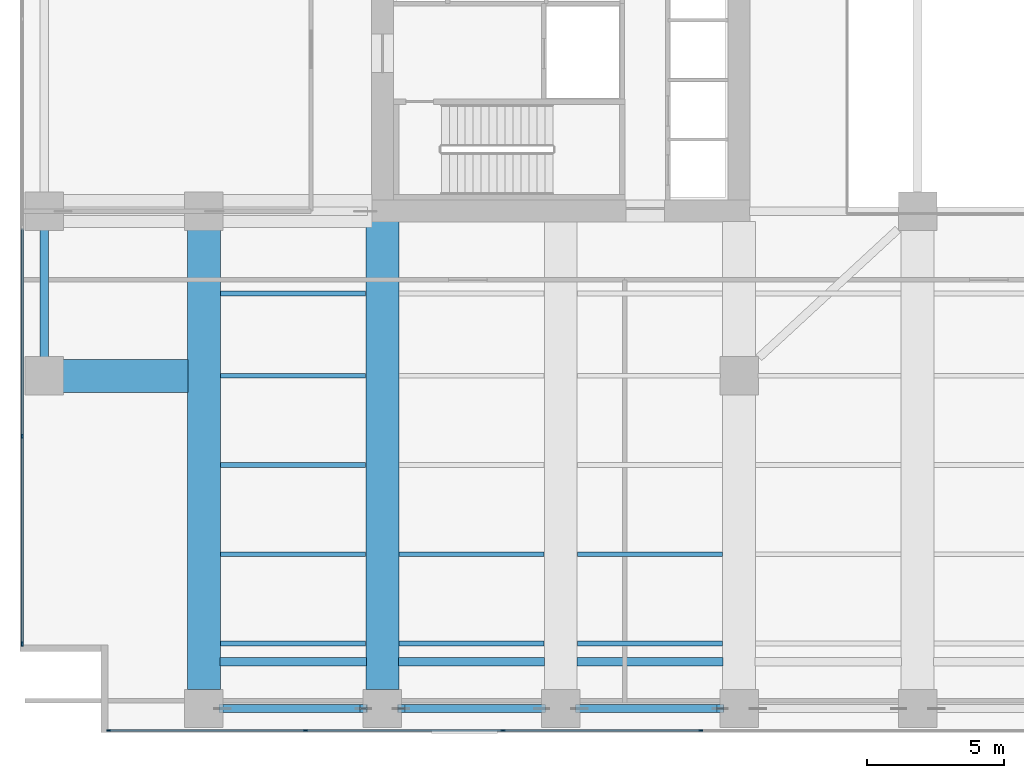
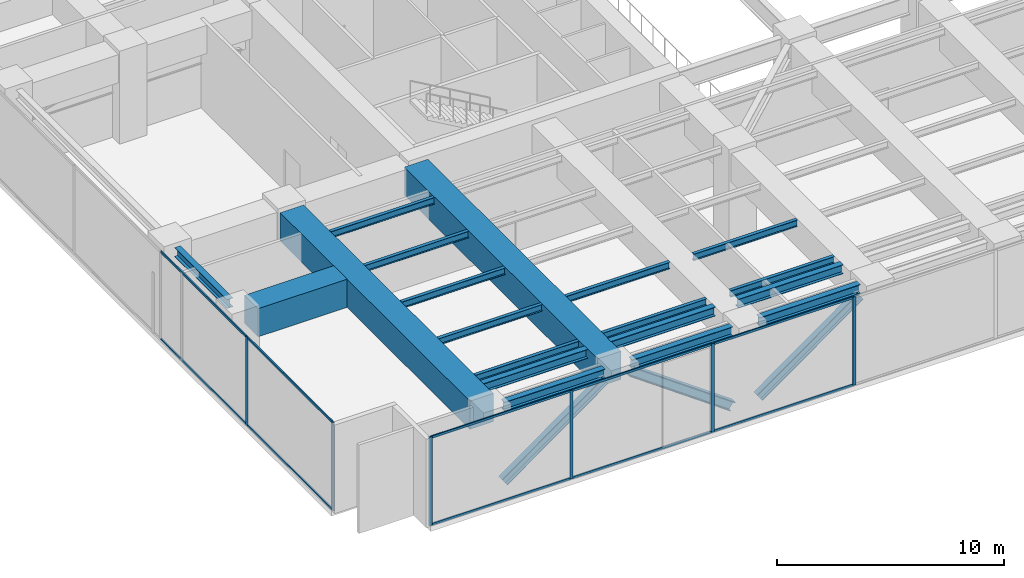
# One storey, part 2 of 31: 19 beams, 19 members, 2 elements without a shape of their own.
"""IFC4 building model written with IfcOpenShell, lengths in metres."""

from ifc_helpers import new_model, si_unit, direction, frame, origin, origin_2d, place, context, subcontext, project, spatial, rectangle, i_section, extrude, material, layer, layer_set, material_profile, profile_set, type_object, element, aggregate, save


model = new_model("IFC4")

# Units and contexts
model_context = context("Model", 3, precision=1e-05, world=origin(), true_north=direction((0.0, 1.0)))
body_context = subcontext(model_context, "Body", "Model", "MODEL_VIEW")
ifc_project = project(units=[si_unit("LENGTHUNIT", "METRE"), si_unit("AREAUNIT", "SQUARE_METRE"), si_unit("VOLUMEUNIT", "CUBIC_METRE"), si_unit("PLANEANGLEUNIT", "RADIAN"), si_unit("MASSUNIT", "GRAM", prefix="KILO")], contexts=[model_context])

# Site, building, storey
site_placement = place(None, origin())
site = spatial("IfcSite", under=ifc_project, at=site_placement, CompositionType="ELEMENT")
building_placement = place(site_placement, origin())
building = spatial("IfcBuilding", under=site, at=building_placement, Name="Putna Gate Headquarters", CompositionType="ELEMENT")
storey_placement = place(building_placement, frame((0.0, 0.0, 81.0)))
storey = spatial("IfcBuildingStorey", under=building, at=storey_placement, Name="L19", CompositionType="ELEMENT", Elevation=81.0)

# Beams
ifc_material_1 = material(Name="Steel S355J2", Category="steel")
ifc_material_profile_1 = material_profile(ifc_material_1, i_section(OverallWidth=0.169921875, OverallDepth=0.360107421875, WebThickness=0.008056640625, FlangeThickness=0.0126953125, at=origin_2d()), Name="Steel S355J2")
ifc_profile_set_1 = profile_set([ifc_material_profile_1], Name="Steel S355J2")
beam_type_1 = type_object("IfcBeamType", Name="BM-SEC-Z2-IPE360", PredefinedType="BEAM", material=ifc_profile_set_1)
for number, where, z_axis, x_axis, name in (
    (1, (7.10400390625, 3.25, 4.5849609375), (1.0, 0.0, 0.0), (0.0, 1.0, 0.0), "L19 South Secondary Beam 1"),
    (2, (7.10400390625, 6.5, 4.5849609375), (1.0, 0.0, 0.0), (0.0, 1.0, 0.0), "L19 South Secondary Beam 1"),
    (3, (7.10400390625, 9.75, 4.5849609375), (1.0, 0.0, 0.0), (0.0, 1.0, 0.0), "L19 South Secondary Beam 1"),
    (4, (7.10400390625, 13.0, 4.5849609375), (1.0, 0.0, 0.0), (0.0, 1.0, 0.0), "L19 South Secondary Beam 1"),
    (5, (7.10400390625, 16.0, 4.5849609375), (1.0, 0.0, 0.0), (0.0, 1.0, 0.0), "L19 South Secondary Beam 1"),
    (6, (13.60400390625, 3.25, 4.5849609375), (1.0, 0.0, 0.0), (0.0, 1.0, 0.0), "L19 South Secondary Beam 2"),
    (7, (13.60400390625, 6.5, 4.5849609375), (1.0, 0.0, 0.0), (0.0, 1.0, 0.0), "L19 South Secondary Beam 2"),
    (8, (20.10400390625, 3.25, 4.5849609375), (1.0, 0.0, 0.0), (0.0, 1.0, 0.0), "L19 South Secondary Beam 3"),
    (9, (20.10400390625, 6.5, 4.5849609375), (1.0, 0.0, 0.0), (0.0, 1.0, 0.0), "L19 South Secondary Beam 3"),
):
    element("IfcBeam", number, at=place(storey_placement, frame(where, z_axis=z_axis, x_axis=x_axis)), inside=storey, type_object=beam_type_1, Name=name, PredefinedType="BEAM", context=body_context, shape_type="SweptSolid", body=[
        extrude(i_section(OverallWidth=0.169921875, OverallDepth=0.360107421875, WebThickness=0.008056640625, FlangeThickness=0.0126953125, at=origin_2d()), origin(), (0.0, 0.0, 1.0), 5.2919921875),
    ])
ifc_material_profile_2 = material_profile(ifc_material_1, i_section(OverallWidth=0.300048828125, OverallDepth=0.489990234375, WebThickness=0.011962890625, FlangeThickness=0.02294921875, at=origin_2d()), Name="Steel S355J2")
ifc_profile_set_2 = profile_set([ifc_material_profile_2], Name="Steel S355J2")
beam_type_2 = type_object("IfcBeamType", Name="BM-SPAN-Z2-HEA500", PredefinedType="SPANDREL", material=ifc_profile_set_2)
for number, where, z_axis, x_axis, name in (
    (10, (7.18798828125, 0.8798828125, 4.52001953125), (1.0, 0.0, 0.0), (0.0, 1.0, 0.0), "L19 S Perimeter Spandrel 1"),
    (11, (13.68798828125, 0.8798828125, 4.52001953125), (1.0, 0.0, 0.0), (0.0, 1.0, 0.0), "L19 S Perimeter Spandrel 2"),
    (12, (20.18798828125, 0.8798828125, 4.52001953125), (1.0, 0.0, 0.0), (0.0, 1.0, 0.0), "L19 S Perimeter Spandrel 3"),
):
    element("IfcBeam", number, at=place(storey_placement, frame(where, z_axis=z_axis, x_axis=x_axis)), inside=storey, type_object=beam_type_2, Name=name, PredefinedType="SPANDREL", context=body_context, shape_type="SweptSolid", body=[
        extrude(i_section(OverallWidth=0.300048828125, OverallDepth=0.489990234375, WebThickness=0.011962890625, FlangeThickness=0.02294921875, at=origin_2d()), origin(), (0.0, 0.0, 1.0), 5.1240234375),
    ])
beam_1_placement = place(storey_placement, frame((0.679931640625, 13.68798828125, 4.52001953125), z_axis=(0.0, 1.0, 0.0), x_axis=(-1.0, 0.0, 0.0)))
element("IfcBeam", 13, at=beam_1_placement, inside=storey, type_object=beam_type_2, Name="L19 W End Spandrel 1", PredefinedType="SPANDREL", context=body_context, shape_type="SweptSolid", body=[
    extrude(i_section(OverallWidth=0.300048828125, OverallDepth=0.489990234375, WebThickness=0.011962890625, FlangeThickness=0.02294921875, at=origin_2d()), origin(), (0.0, 0.0, 1.0), 4.6240234375),
])
for number, where, z_axis, x_axis, name in (
    (14, (7.0849609375, 2.580078125, 4.52001953125), (1.0, 0.0, 0.0), (0.0, 1.0, 0.0), "L19 Setback Edge Beam S1"),
    (15, (13.5849609375, 2.580078125, 4.52001953125), (1.0, 0.0, 0.0), (0.0, 1.0, 0.0), "L19 Setback Edge Beam S2"),
    (16, (20.0849609375, 2.580078125, 4.52001953125), (1.0, 0.0, 0.0), (0.0, 1.0, 0.0), "L19 Setback Edge Beam S3"),
):
    element("IfcBeam", number, at=place(storey_placement, frame(where, z_axis=z_axis, x_axis=x_axis)), inside=storey, type_object=beam_type_2, Name=name, PredefinedType="SPANDREL", context=body_context, shape_type="SweptSolid", body=[
        extrude(i_section(OverallWidth=0.300048828125, OverallDepth=0.489990234375, WebThickness=0.011962890625, FlangeThickness=0.02294921875, at=origin_2d()), origin(), (0.0, 0.0, 1.0), 5.330078125),
    ])
ifc_material_2 = material(Name="Concrete C50/60", Category="concrete")
ifc_material_profile_3 = material_profile(ifc_material_2, rectangle(XDim=1.199951171875, YDim=1.52001953125, at=origin_2d()), Name="Concrete C50/60")
ifc_profile_set_3 = profile_set([ifc_material_profile_3], Name="Concrete C50/60")
beam_type_3 = type_object("IfcBeamType", Name="BM-TG-RC1520", PredefinedType="USERDEFINED", material=ifc_profile_set_3)
beam_2_placement = place(storey_placement, frame((1.367919921875, 13.0, 4.0048828125), z_axis=(1.0, 0.0, 0.0), x_axis=(0.0, 1.0, 0.0)))
element("IfcBeam", 17, at=beam_2_placement, inside=storey, type_object=beam_type_3, Name="L19 West Setback Girder Y13", ObjectType="GIRDER", PredefinedType="USERDEFINED", context=body_context, shape_type="SweptSolid", body=[
    extrude(rectangle(XDim=1.199951171875, YDim=1.52001953125, at=origin_2d()), origin(), (0.0, 0.0, 1.0), 4.547119140625),
])
beam_3_placement = place(storey_placement, frame((6.5, 1.568115234375, 4.0048828125), z_axis=(0.0, 1.0, 0.0), x_axis=(-1.0, 0.0, 0.0)))
element("IfcBeam", 18, at=beam_3_placement, inside=storey, type_object=beam_type_3, Name="L19 South Primary Girder X6", ObjectType="GIRDER", PredefinedType="USERDEFINED", context=body_context, shape_type="SweptSolid", body=[
    extrude(rectangle(XDim=1.199951171875, YDim=1.52001953125, at=origin_2d()), origin(), (0.0, 0.0, 1.0), 16.743896484375),
])
beam_4_placement = place(storey_placement, frame((13.0, 1.568115234375, 4.0048828125), z_axis=(0.0, 1.0, 0.0), x_axis=(-1.0, 0.0, 0.0)))
element("IfcBeam", 19, at=beam_4_placement, inside=storey, type_object=beam_type_3, Name="L19 South Primary Girder X13", ObjectType="GIRDER", PredefinedType="USERDEFINED", context=body_context, shape_type="SweptSolid", body=[
    extrude(rectangle(XDim=1.199951171875, YDim=1.52001953125, at=origin_2d()), origin(), (0.0, 0.0, 1.0), 17.046875),
])

# Members
ifc_material_3 = material(Name="Steel S460M", Category="steel")
ifc_material_profile_4 = material_profile(ifc_material_3, i_section(OverallWidth=0.306884765625, OverallDepth=0.47802734375, WebThickness=0.02099609375, FlangeThickness=0.0400390625, at=origin_2d()), Name="Steel S460M")
ifc_profile_set_4 = profile_set([ifc_material_profile_4], Name="Steel S460M")
member_type_1 = type_object("IfcMemberType", Name="MEM-BELT-DIAG-HEM450", PredefinedType="BRACE", material=ifc_profile_set_4)
for number, where, z_axis, x_axis, name in (
    (20, (7.18505859375, 0.8798828125, 0.449951171875), (0.813670670629, 0.0, 0.581326104487), (0.0, 1.0, 0.0), "L19 Belt Truss Diagonal S1"),
    (21, (13.68505859375, 0.8798828125, 4.114990234375), (0.813670670629, 0.0, -0.581326104487), (0.0, 1.0, 0.0), "L19 Belt Truss Diagonal S2"),
    (22, (20.18505859375, 0.8798828125, 0.449951171875), (0.813670670629, 0.0, 0.581326104487), (0.0, 1.0, 0.0), "L19 Belt Truss Diagonal S3"),
):
    element("IfcMember", number, at=place(storey_placement, frame(where, z_axis=z_axis, x_axis=x_axis)), inside=storey, type_object=member_type_1, Name=name, PredefinedType="BRACE", context=body_context, shape_type="SweptSolid", body=[
        extrude(i_section(OverallWidth=0.306884765625, OverallDepth=0.47802734375, WebThickness=0.02099609375, FlangeThickness=0.0400390625, at=origin_2d()), origin(), (0.0, 0.0, 1.0), 6.3046875),
    ])

# Curtain wall, members
ifc_material_4 = material(Name="Anodised bronze aluminium curtain wall", Category="aluminium")
ifc_layer = layer(ifc_material_4, 0.159912109375)
ifc_layer_set = layer_set([ifc_layer], Name="Anodised bronze aluminium curtain wall")
curtain_wall_type = type_object("IfcCurtainWallType", Name="CW-SYS-CRN", PredefinedType="USERDEFINED", material=ifc_layer_set)
curtain_wall_1_placement = place(storey_placement, origin())
curtain_wall_1 = element("IfcCurtainWall", 23, at=curtain_wall_1_placement, inside=storey, type_object=curtain_wall_type, Name="L19 Acoustic Louvre South Enclosure", ObjectType="STICK CURTAIN WALL", PredefinedType="USERDEFINED")
ifc_material_5 = material(Name="Anodised bronze aluminium EN AW-6060", Category="aluminium")
ifc_material_profile_5 = material_profile(ifc_material_5, rectangle(XDim=0.06494140625, YDim=0.159912109375, at=origin_2d()), Name="Anodised bronze aluminium EN AW-6060")
ifc_profile_set_5 = profile_set([ifc_material_profile_5], Name="Anodised bronze aluminium EN AW-6060")
member_type_2 = type_object("IfcMemberType", Name="MULL-CWM-CR", PredefinedType="MULLION", material=ifc_profile_set_5)
member_1_placement = place(storey_placement, frame((3.032470703125, 0.080078125, 0.0), z_axis=(0.0, 0.0, 1.0), x_axis=(0.0, 1.0, 0.0)))
member_1 = element("IfcMember", 24, at=member_1_placement, type_object=member_type_2, Name="CWS-CR mullion 1", PredefinedType="MULLION", context=body_context, shape_type="SweptSolid", body=[
    extrude(rectangle(XDim=0.06494140625, YDim=0.159912109375, at=origin_2d()), origin(), (0.0, 0.0, 1.0), 4.764892578125),
])
member_2_placement = place(storey_placement, frame((10.199951171875, 0.080078125, 0.0), z_axis=(0.0, 0.0, 1.0), x_axis=(0.0, 1.0, 0.0)))
member_2 = element("IfcMember", 25, at=member_2_placement, type_object=member_type_2, Name="CWS-CR mullion 2", PredefinedType="MULLION", context=body_context, shape_type="SweptSolid", body=[
    extrude(rectangle(XDim=0.06494140625, YDim=0.159912109375, at=origin_2d()), origin(), (0.0, 0.0, 1.0), 4.764892578125),
])
member_3_placement = place(storey_placement, frame((17.39990234375, 0.080078125, 0.0), z_axis=(0.0, 0.0, 1.0), x_axis=(0.0, 1.0, 0.0)))
member_3 = element("IfcMember", 26, at=member_3_placement, type_object=member_type_2, Name="CWS-CR mullion 3", PredefinedType="MULLION", context=body_context, shape_type="SweptSolid", body=[
    extrude(rectangle(XDim=0.06494140625, YDim=0.159912109375, at=origin_2d()), origin(), (0.0, 0.0, 1.0), 4.764892578125),
])
member_4_placement = place(storey_placement, frame((24.60009765625, 0.080078125, 0.0), z_axis=(0.0, 0.0, 1.0), x_axis=(0.0, 1.0, 0.0)))
member_4 = element("IfcMember", 27, at=member_4_placement, type_object=member_type_2, Name="CWS-CR mullion 4", PredefinedType="MULLION", context=body_context, shape_type="SweptSolid", body=[
    extrude(rectangle(XDim=0.06494140625, YDim=0.159912109375, at=origin_2d()), origin(), (0.0, 0.0, 1.0), 4.764892578125),
])

curtain_wall_2_placement = place(storey_placement, origin())
curtain_wall_2 = element("IfcCurtainWall", 28, at=curtain_wall_2_placement, inside=storey, type_object=curtain_wall_type, Name="L19 Acoustic Louvre West Enclosure", ObjectType="STICK CURTAIN WALL", PredefinedType="USERDEFINED")
member_5_placement = place(storey_placement, frame((-0.1201171875, 3.232421875, 0.0), z_axis=(0.0, 0.0, 1.0), x_axis=(-1.0, 0.0, 0.0)))
member_5 = element("IfcMember", 29, at=member_5_placement, type_object=member_type_2, Name="CWS-CR mullion 1", PredefinedType="MULLION", context=body_context, shape_type="SweptSolid", body=[
    extrude(rectangle(XDim=0.06494140625, YDim=0.159912109375, at=origin_2d()), origin(), (0.0, 0.0, 1.0), 4.764892578125),
])
member_6_placement = place(storey_placement, frame((-0.1201171875, 10.800048828125, 0.0), z_axis=(0.0, 0.0, 1.0), x_axis=(-1.0, 0.0, 0.0)))
member_6 = element("IfcMember", 30, at=member_6_placement, type_object=member_type_2, Name="CWS-CR mullion 2", PredefinedType="MULLION", context=body_context, shape_type="SweptSolid", body=[
    extrude(rectangle(XDim=0.06494140625, YDim=0.159912109375, at=origin_2d()), origin(), (0.0, 0.0, 1.0), 4.764892578125),
])

# Member
ifc_material_profile_6 = material_profile(ifc_material_5, rectangle(XDim=0.06494140625, YDim=0.1201171875, at=origin_2d()), Name="Anodised bronze aluminium EN AW-6060")
ifc_profile_set_6 = profile_set([ifc_material_profile_6], Name="Anodised bronze aluminium EN AW-6060")
member_type_3 = type_object("IfcMemberType", Name="TRAN-CWT-CR", PredefinedType="USERDEFINED", material=ifc_profile_set_6)
member_7_placement = place(storey_placement, frame((3.06494140625, 0.080078125, 0.032470703125), z_axis=(1.0, 0.0, 0.0), x_axis=(0.0, 1.0, 0.0)))
member_7 = element("IfcMember", 31, at=member_7_placement, type_object=member_type_3, Name="CWS-CR transom 1.1", ObjectType="TRANSOM", PredefinedType="USERDEFINED", context=body_context, shape_type="SweptSolid", body=[
    extrude(rectangle(XDim=0.06494140625, YDim=0.1201171875, at=origin_2d()), origin(), (0.0, 0.0, 1.0), 7.1025390625),
])

member_8_placement = place(storey_placement, frame((3.06494140625, 0.080078125, 4.732421875), z_axis=(1.0, 0.0, 0.0), x_axis=(0.0, 1.0, 0.0)))
member_8 = element("IfcMember", 32, at=member_8_placement, type_object=member_type_3, Name="CWS-CR transom 1.2", ObjectType="TRANSOM", PredefinedType="USERDEFINED", context=body_context, shape_type="SweptSolid", body=[
    extrude(rectangle(XDim=0.06494140625, YDim=0.1201171875, at=origin_2d()), origin(), (0.0, 0.0, 1.0), 7.1025390625),
])

member_9_placement = place(storey_placement, frame((10.232421875, 0.080078125, 0.032470703125), z_axis=(1.0, 0.0, 0.0), x_axis=(0.0, 1.0, 0.0)))
member_9 = element("IfcMember", 33, at=member_9_placement, type_object=member_type_3, Name="CWS-CR transom 2.1", ObjectType="TRANSOM", PredefinedType="USERDEFINED", context=body_context, shape_type="SweptSolid", body=[
    extrude(rectangle(XDim=0.06494140625, YDim=0.1201171875, at=origin_2d()), origin(), (0.0, 0.0, 1.0), 7.135009765625),
])

member_10_placement = place(storey_placement, frame((10.232421875, 0.080078125, 4.732421875), z_axis=(1.0, 0.0, 0.0), x_axis=(0.0, 1.0, 0.0)))
member_10 = element("IfcMember", 34, at=member_10_placement, type_object=member_type_3, Name="CWS-CR transom 2.2", ObjectType="TRANSOM", PredefinedType="USERDEFINED", context=body_context, shape_type="SweptSolid", body=[
    extrude(rectangle(XDim=0.06494140625, YDim=0.1201171875, at=origin_2d()), origin(), (0.0, 0.0, 1.0), 7.135009765625),
])

member_11_placement = place(storey_placement, frame((17.4326171875, 0.080078125, 0.032470703125), z_axis=(1.0, 0.0, 0.0), x_axis=(0.0, 1.0, 0.0)))
member_11 = element("IfcMember", 35, at=member_11_placement, type_object=member_type_3, Name="CWS-CR transom 3.1", ObjectType="TRANSOM", PredefinedType="USERDEFINED", context=body_context, shape_type="SweptSolid", body=[
    extrude(rectangle(XDim=0.06494140625, YDim=0.1201171875, at=origin_2d()), origin(), (0.0, 0.0, 1.0), 7.134765625),
])

member_12_placement = place(storey_placement, frame((17.4326171875, 0.080078125, 4.732421875), z_axis=(1.0, 0.0, 0.0), x_axis=(0.0, 1.0, 0.0)))
member_12 = element("IfcMember", 36, at=member_12_placement, type_object=member_type_3, Name="CWS-CR transom 3.2", ObjectType="TRANSOM", PredefinedType="USERDEFINED", context=body_context, shape_type="SweptSolid", body=[
    extrude(rectangle(XDim=0.06494140625, YDim=0.1201171875, at=origin_2d()), origin(), (0.0, 0.0, 1.0), 7.134765625),
])

aggregate(curtain_wall_1, [member_1, member_2, member_3, member_4, member_7, member_8, member_9, member_10, member_11, member_12])

member_13_placement = place(storey_placement, frame((-0.1201171875, 3.264892578125, 0.032470703125), z_axis=(0.0, 1.0, 0.0), x_axis=(-1.0, 0.0, 0.0)))
member_13 = element("IfcMember", 37, at=member_13_placement, type_object=member_type_3, Name="CWS-CR transom 1.1", ObjectType="TRANSOM", PredefinedType="USERDEFINED", context=body_context, shape_type="SweptSolid", body=[
    extrude(rectangle(XDim=0.06494140625, YDim=0.1201171875, at=origin_2d()), origin(), (0.0, 0.0, 1.0), 7.502685546875),
])

member_14_placement = place(storey_placement, frame((-0.1201171875, 3.264892578125, 4.732421875), z_axis=(0.0, 1.0, 0.0), x_axis=(-1.0, 0.0, 0.0)))
member_14 = element("IfcMember", 38, at=member_14_placement, type_object=member_type_3, Name="CWS-CR transom 1.2", ObjectType="TRANSOM", PredefinedType="USERDEFINED", context=body_context, shape_type="SweptSolid", body=[
    extrude(rectangle(XDim=0.06494140625, YDim=0.1201171875, at=origin_2d()), origin(), (0.0, 0.0, 1.0), 7.502685546875),
])

member_15_placement = place(storey_placement, frame((-0.1201171875, 10.83251953125, 0.032470703125), z_axis=(0.0, 1.0, 0.0), x_axis=(-1.0, 0.0, 0.0)))
member_15 = element("IfcMember", 39, at=member_15_placement, type_object=member_type_3, Name="CWS-CR transom 2.1", ObjectType="TRANSOM", PredefinedType="USERDEFINED", context=body_context, shape_type="SweptSolid", body=[
    extrude(rectangle(XDim=0.06494140625, YDim=0.1201171875, at=origin_2d()), origin(), (0.0, 0.0, 1.0), 7.534912109375),
])

member_16_placement = place(storey_placement, frame((-0.1201171875, 10.83251953125, 4.732421875), z_axis=(0.0, 1.0, 0.0), x_axis=(-1.0, 0.0, 0.0)))
member_16 = element("IfcMember", 40, at=member_16_placement, type_object=member_type_3, Name="CWS-CR transom 2.2", ObjectType="TRANSOM", PredefinedType="USERDEFINED", context=body_context, shape_type="SweptSolid", body=[
    extrude(rectangle(XDim=0.06494140625, YDim=0.1201171875, at=origin_2d()), origin(), (0.0, 0.0, 1.0), 7.534912109375),
])

aggregate(curtain_wall_2, [member_5, member_6, member_13, member_14, member_15, member_16])

save(model, "model.ifc")
